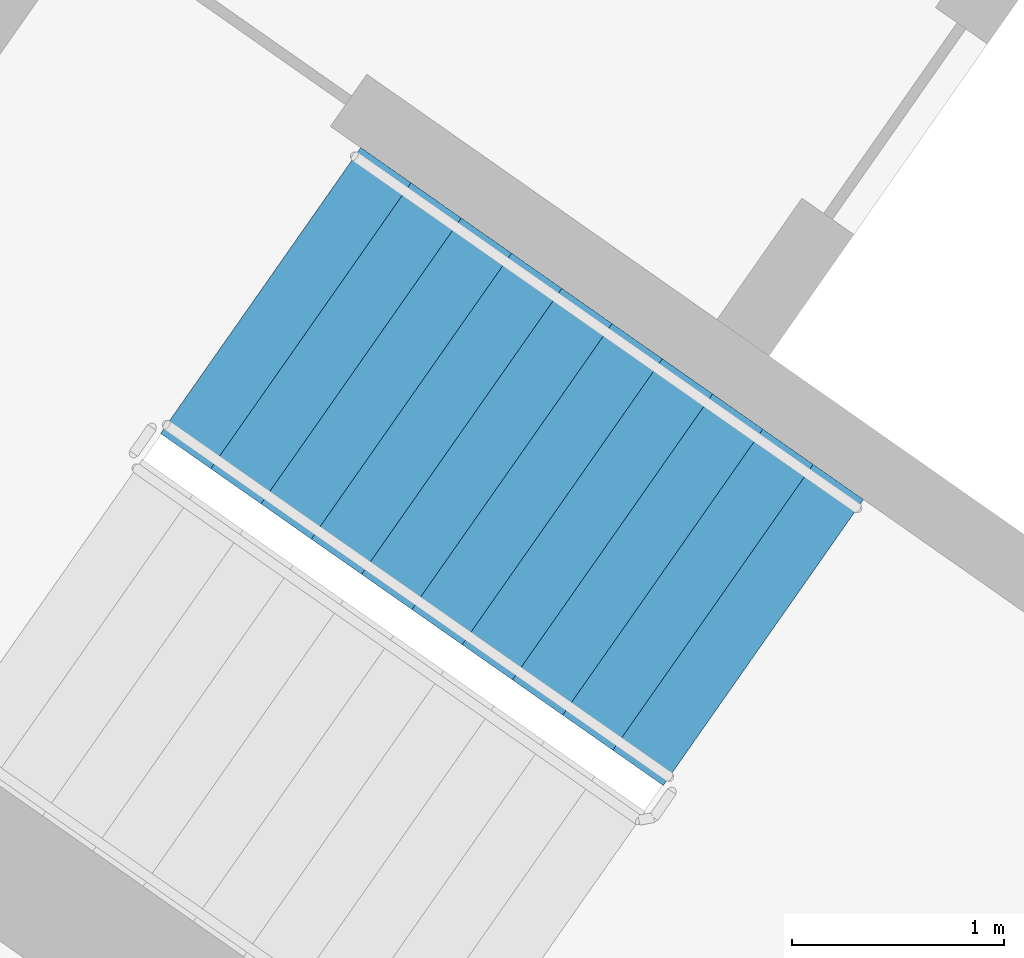
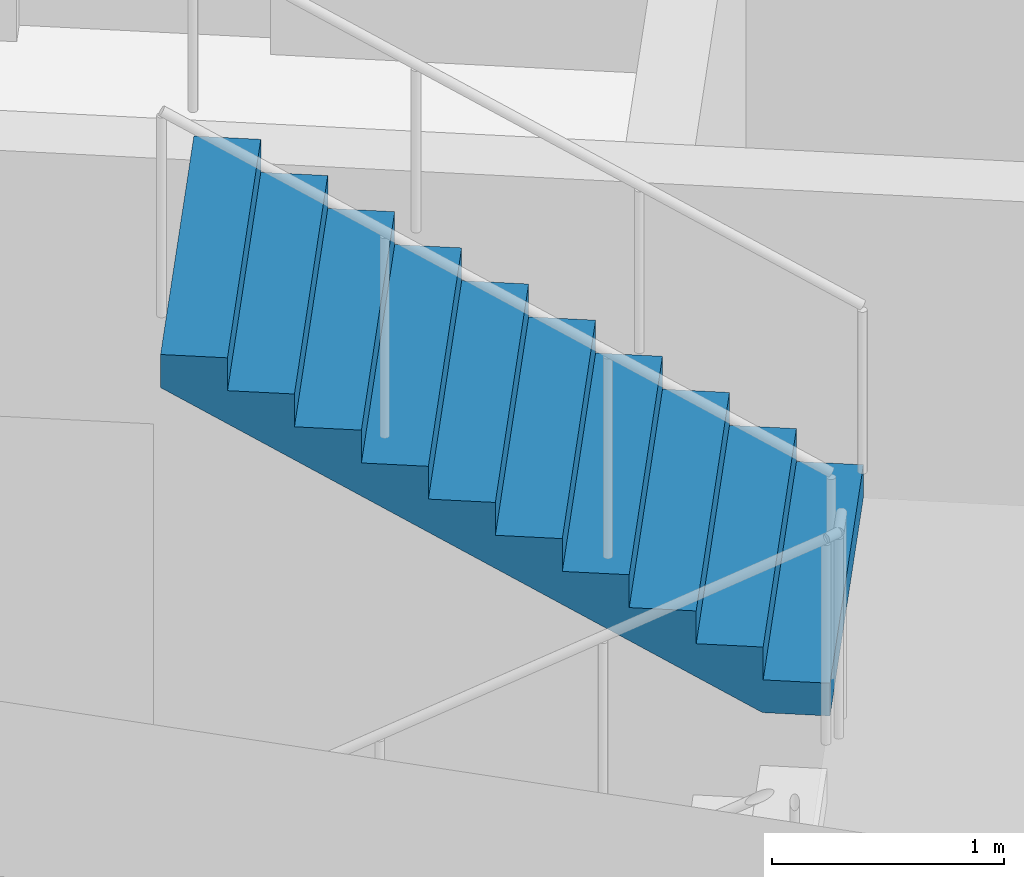
# One storey, part 11 of 28: 1 stair flight, 1 element without a shape of its own.
"""IFC4 building model written with IfcOpenShell, lengths in metres."""

from ifc_helpers import new_model, si_unit, direction, frame, origin, place, context, subcontext, project, spatial, faceted_brep, material, type_object, element, aggregate, save


model = new_model("IFC4")

# Units and contexts
model_context = context("Model", 3, precision=1e-05, world=origin(), true_north=direction((0.0, 1.0)))
body_context = subcontext(model_context, "Body", "Model", "MODEL_VIEW")
ifc_project = project(units=[si_unit("LENGTHUNIT", "METRE"), si_unit("AREAUNIT", "SQUARE_METRE"), si_unit("VOLUMEUNIT", "CUBIC_METRE"), si_unit("PLANEANGLEUNIT", "RADIAN"), si_unit("MASSUNIT", "GRAM", prefix="KILO")], contexts=[model_context])

# Site, building, storey
site_placement = place(None, origin())
site = spatial("IfcSite", under=ifc_project, at=site_placement, CompositionType="ELEMENT")
building_placement = place(site_placement, origin())
building = spatial("IfcBuilding", under=site, at=building_placement, Name="Qamariyya Broadcast Tower", CompositionType="ELEMENT")
storey_placement = place(building_placement, frame((0.0, 0.0, 230.300048828125)))
storey = spatial("IfcBuildingStorey", under=building, at=storey_placement, Name="L55", CompositionType="ELEMENT", Elevation=230.300048828125)

# Stair, stair flight
ifc_material = material(Name="Concrete C50/60", Category="concrete")
stair_type = type_object("IfcStairType", Name="Exit stair 22 risers of 173 mm", PredefinedType="HALF_TURN_STAIR", material=ifc_material)
stair_placement = place(storey_placement, origin())
stair = element("IfcStair", 1, at=stair_placement, inside=storey, type_object=stair_type, Name="L55 Stair W1", PredefinedType="HALF_TURN_STAIR")
stair_flight_type = type_object("IfcStairFlightType", Name="Exit stair flight 11 risers of 173 mm", PredefinedType="STRAIGHT", material=ifc_material)
stair_flight_placement = place(storey_placement, frame((-43.660888671875, -57.17138671875, 1.89990234375), z_axis=(0.0, 0.0, 1.0), x_axis=(-0.819152044289, 0.573576436351, 0.0)))
stair_flight = element("IfcStairFlight", 2, at=stair_flight_placement, type_object=stair_flight_type, Name="ST-W1 flight 2", NumberOfRisers=11, NumberOfTreads=10, PredefinedType="STRAIGHT", RiserHeight=0.172727273, TreadLength=0.29, context=body_context, shape_type="Brep", body=[
    faceted_brep([(0.0, 0.824951171875, 0.0), (0.0, 0.824951171875, 0.172607421875), (0.2900390625, 0.824951171875, 0.172607421875), (0.2900390625, 0.824951171875, 0.345458984375), (0.580078125, 0.824951171875, 0.345458984375), (0.580078125, 0.824951171875, 0.51806640625), (0.8701171875, 0.824951171875, 0.51806640625), (0.8701171875, 0.824951171875, 0.69091796875), (1.159912109375, 0.824951171875, 0.69091796875), (1.159912109375, 0.824951171875, 0.863525390625), (1.449951171875, 0.824951171875, 0.863525390625), (1.449951171875, 0.824951171875, 1.036376953125), (1.739990234375, 0.824951171875, 1.036376953125), (1.739990234375, 0.824951171875, 1.208984375), (2.030029296875, 0.824951171875, 1.208984375), (2.030029296875, 0.824951171875, 1.3818359375), (2.320068359375, 0.824951171875, 1.3818359375), (2.320068359375, 0.824951171875, 1.554443359375), (2.610107421875, 0.824951171875, 1.554443359375), (2.610107421875, 0.824951171875, 1.727294921875), (2.89990234375, 0.824951171875, 1.727294921875), (2.89990234375, 0.824951171875, 1.552734375), (0.29296875, 0.824951171875, 0.0), (0.29296875, -0.824951171875, 0.0), (2.89990234375, -0.824951171875, 1.552734375), (2.89990234375, -0.824951171875, 1.727294921875), (2.610107421875, -0.824951171875, 1.727294921875), (2.610107421875, -0.824951171875, 1.554443359375), (2.320068359375, -0.824951171875, 1.554443359375), (2.320068359375, -0.824951171875, 1.3818359375), (2.030029296875, -0.824951171875, 1.3818359375), (2.030029296875, -0.824951171875, 1.208984375), (1.739990234375, -0.824951171875, 1.208984375), (1.739990234375, -0.824951171875, 1.036376953125), (1.449951171875, -0.824951171875, 1.036376953125), (1.449951171875, -0.824951171875, 0.863525390625), (1.159912109375, -0.824951171875, 0.863525390625), (1.159912109375, -0.824951171875, 0.69091796875), (0.8701171875, -0.824951171875, 0.69091796875), (0.8701171875, -0.824951171875, 0.51806640625), (0.580078125, -0.824951171875, 0.51806640625), (0.580078125, -0.824951171875, 0.345458984375), (0.2900390625, -0.824951171875, 0.345458984375), (0.2900390625, -0.824951171875, 0.172607421875), (0.0, -0.824951171875, 0.172607421875), (0.0, -0.824951171875, 0.0), (0.0, 0.10009765625, 0.0), (0.0, 0.086669921875, 0.0), (0.0, 0.0732421875, 0.0), (0.0, 0.06005859375, 0.0), (0.0, 0.046630859375, 0.0), (0.0, 0.033447265625, 0.0), (0.0, 0.02001953125, 0.0), (0.0, 0.006591796875, 0.0), (0.0, -0.006591796875, 0.0), (0.0, -0.02001953125, 0.0), (0.0, -0.033447265625, 0.0), (0.0, -0.046630859375, 0.0), (0.0, -0.06005859375, 0.0), (0.0, -0.0732421875, 0.0), (0.0, -0.086669921875, 0.0), (0.0, -0.10009765625, 0.0), (0.0, -0.10009765625, 0.172607421875), (0.0, -0.086669921875, 0.172607421875), (0.0, -0.0732421875, 0.172607421875), (0.0, -0.06005859375, 0.172607421875), (0.0, -0.046630859375, 0.172607421875), (0.0, -0.033447265625, 0.172607421875), (0.0, -0.02001953125, 0.172607421875), (0.0, -0.006591796875, 0.172607421875), (0.0, 0.006591796875, 0.172607421875), (0.0, 0.02001953125, 0.172607421875), (0.0, 0.033447265625, 0.172607421875), (0.0, 0.046630859375, 0.172607421875), (0.0, 0.06005859375, 0.172607421875), (0.0, 0.0732421875, 0.172607421875), (0.0, 0.086669921875, 0.172607421875), (0.0, 0.10009765625, 0.172607421875), (0.2900390625, -0.10009765625, 0.172607421875), (0.2900390625, -0.086669921875, 0.172607421875), (0.2900390625, -0.0732421875, 0.172607421875), (0.2900390625, -0.06005859375, 0.172607421875), (0.2900390625, -0.046630859375, 0.172607421875), (0.2900390625, -0.033447265625, 0.172607421875), (0.2900390625, -0.02001953125, 0.172607421875), (0.2900390625, -0.006591796875, 0.172607421875), (0.2900390625, 0.006591796875, 0.172607421875), (0.2900390625, 0.02001953125, 0.172607421875), (0.2900390625, 0.033447265625, 0.172607421875), (0.2900390625, 0.046630859375, 0.172607421875), (0.2900390625, 0.06005859375, 0.172607421875), (0.2900390625, 0.0732421875, 0.172607421875), (0.2900390625, 0.086669921875, 0.172607421875), (0.2900390625, 0.10009765625, 0.172607421875), (0.2900390625, -0.10009765625, 0.345458984375), (0.2900390625, -0.086669921875, 0.345458984375), (0.2900390625, -0.0732421875, 0.345458984375), (0.2900390625, -0.06005859375, 0.345458984375), (0.2900390625, -0.046630859375, 0.345458984375), (0.2900390625, -0.033447265625, 0.345458984375), (0.2900390625, -0.02001953125, 0.345458984375), (0.2900390625, -0.006591796875, 0.345458984375), (0.2900390625, 0.006591796875, 0.345458984375), (0.2900390625, 0.02001953125, 0.345458984375), (0.2900390625, 0.033447265625, 0.345458984375), (0.2900390625, 0.046630859375, 0.345458984375), (0.2900390625, 0.06005859375, 0.345458984375), (0.2900390625, 0.0732421875, 0.345458984375), (0.2900390625, 0.086669921875, 0.345458984375), (0.2900390625, 0.10009765625, 0.345458984375), (0.580078125, -0.10009765625, 0.345458984375), (0.580078125, -0.086669921875, 0.345458984375), (0.580078125, -0.0732421875, 0.345458984375), (0.580078125, -0.06005859375, 0.345458984375), (0.580078125, -0.046630859375, 0.345458984375), (0.580078125, -0.033447265625, 0.345458984375), (0.580078125, -0.02001953125, 0.345458984375), (0.580078125, -0.006591796875, 0.345458984375), (0.580078125, 0.006591796875, 0.345458984375), (0.580078125, 0.02001953125, 0.345458984375), (0.580078125, 0.033447265625, 0.345458984375), (0.580078125, 0.046630859375, 0.345458984375), (0.580078125, 0.06005859375, 0.345458984375), (0.580078125, 0.0732421875, 0.345458984375), (0.580078125, 0.086669921875, 0.345458984375), (0.580078125, 0.10009765625, 0.345458984375), (0.580078125, -0.10009765625, 0.51806640625), (0.580078125, -0.086669921875, 0.51806640625), (0.580078125, -0.0732421875, 0.51806640625), (0.580078125, -0.06005859375, 0.51806640625), (0.580078125, -0.046630859375, 0.51806640625), (0.580078125, -0.033447265625, 0.51806640625), (0.580078125, -0.02001953125, 0.51806640625), (0.580078125, -0.006591796875, 0.51806640625), (0.580078125, 0.006591796875, 0.51806640625), (0.580078125, 0.02001953125, 0.51806640625), (0.580078125, 0.033447265625, 0.51806640625), (0.580078125, 0.046630859375, 0.51806640625), (0.580078125, 0.06005859375, 0.51806640625), (0.580078125, 0.0732421875, 0.51806640625), (0.580078125, 0.086669921875, 0.51806640625), (0.580078125, 0.10009765625, 0.51806640625), (0.8701171875, -0.10009765625, 0.51806640625), (0.8701171875, -0.086669921875, 0.51806640625), (0.8701171875, -0.0732421875, 0.51806640625), (0.8701171875, -0.06005859375, 0.51806640625), (0.8701171875, -0.046630859375, 0.51806640625), (0.8701171875, -0.033447265625, 0.51806640625), (0.8701171875, -0.02001953125, 0.51806640625), (0.8701171875, -0.006591796875, 0.51806640625), (0.8701171875, 0.006591796875, 0.51806640625), (0.8701171875, 0.02001953125, 0.51806640625), (0.8701171875, 0.033447265625, 0.51806640625), (0.8701171875, 0.046630859375, 0.51806640625), (0.8701171875, 0.06005859375, 0.51806640625), (0.8701171875, 0.0732421875, 0.51806640625), (0.8701171875, 0.086669921875, 0.51806640625), (0.8701171875, 0.10009765625, 0.51806640625), (0.8701171875, -0.10009765625, 0.69091796875), (0.8701171875, -0.086669921875, 0.69091796875), (0.8701171875, -0.0732421875, 0.69091796875), (0.8701171875, -0.06005859375, 0.69091796875), (0.8701171875, -0.046630859375, 0.69091796875), (0.8701171875, -0.033447265625, 0.69091796875), (0.8701171875, -0.02001953125, 0.69091796875), (0.8701171875, -0.006591796875, 0.69091796875), (0.8701171875, 0.006591796875, 0.69091796875), (0.8701171875, 0.02001953125, 0.69091796875), (0.8701171875, 0.033447265625, 0.69091796875), (0.8701171875, 0.046630859375, 0.69091796875), (0.8701171875, 0.06005859375, 0.69091796875), (0.8701171875, 0.0732421875, 0.69091796875), (0.8701171875, 0.086669921875, 0.69091796875), (0.8701171875, 0.10009765625, 0.69091796875), (1.159912109375, -0.10009765625, 0.69091796875), (1.159912109375, -0.086669921875, 0.69091796875), (1.159912109375, -0.0732421875, 0.69091796875), (1.159912109375, -0.06005859375, 0.69091796875), (1.159912109375, -0.046630859375, 0.69091796875), (1.159912109375, -0.033447265625, 0.69091796875), (1.159912109375, -0.02001953125, 0.69091796875), (1.159912109375, -0.006591796875, 0.69091796875), (1.159912109375, 0.006591796875, 0.69091796875), (1.159912109375, 0.02001953125, 0.69091796875), (1.159912109375, 0.033447265625, 0.69091796875), (1.159912109375, 0.046630859375, 0.69091796875), (1.159912109375, 0.06005859375, 0.69091796875), (1.159912109375, 0.0732421875, 0.69091796875), (1.159912109375, 0.086669921875, 0.69091796875), (1.159912109375, 0.10009765625, 0.69091796875), (1.159912109375, -0.10009765625, 0.863525390625), (1.159912109375, -0.086669921875, 0.863525390625), (1.159912109375, -0.0732421875, 0.863525390625), (1.159912109375, -0.06005859375, 0.863525390625), (1.159912109375, -0.046630859375, 0.863525390625), (1.159912109375, -0.033447265625, 0.863525390625), (1.159912109375, -0.02001953125, 0.863525390625), (1.159912109375, -0.006591796875, 0.863525390625), (1.159912109375, 0.006591796875, 0.863525390625), (1.159912109375, 0.02001953125, 0.863525390625), (1.159912109375, 0.033447265625, 0.863525390625), (1.159912109375, 0.046630859375, 0.863525390625), (1.159912109375, 0.06005859375, 0.863525390625), (1.159912109375, 0.0732421875, 0.863525390625), (1.159912109375, 0.086669921875, 0.863525390625), (1.159912109375, 0.10009765625, 0.863525390625), (1.449951171875, -0.10009765625, 0.863525390625), (1.449951171875, -0.086669921875, 0.863525390625), (1.449951171875, -0.0732421875, 0.863525390625), (1.449951171875, -0.06005859375, 0.863525390625), (1.449951171875, -0.046630859375, 0.863525390625), (1.449951171875, -0.033447265625, 0.863525390625), (1.449951171875, -0.02001953125, 0.863525390625), (1.449951171875, -0.006591796875, 0.863525390625), (1.449951171875, 0.006591796875, 0.863525390625), (1.449951171875, 0.02001953125, 0.863525390625), (1.449951171875, 0.033447265625, 0.863525390625), (1.449951171875, 0.046630859375, 0.863525390625), (1.449951171875, 0.06005859375, 0.863525390625), (1.449951171875, 0.0732421875, 0.863525390625), (1.449951171875, 0.086669921875, 0.863525390625), (1.449951171875, 0.10009765625, 0.863525390625), (1.449951171875, -0.10009765625, 1.036376953125), (1.449951171875, -0.086669921875, 1.036376953125), (1.449951171875, -0.0732421875, 1.036376953125), (1.449951171875, -0.06005859375, 1.036376953125), (1.449951171875, -0.046630859375, 1.036376953125), (1.449951171875, -0.033447265625, 1.036376953125), (1.449951171875, -0.02001953125, 1.036376953125), (1.449951171875, -0.006591796875, 1.036376953125), (1.449951171875, 0.006591796875, 1.036376953125), (1.449951171875, 0.02001953125, 1.036376953125), (1.449951171875, 0.033447265625, 1.036376953125), (1.449951171875, 0.046630859375, 1.036376953125), (1.449951171875, 0.06005859375, 1.036376953125), (1.449951171875, 0.0732421875, 1.036376953125), (1.449951171875, 0.086669921875, 1.036376953125), (1.449951171875, 0.10009765625, 1.036376953125), (1.739990234375, -0.10009765625, 1.036376953125), (1.739990234375, -0.086669921875, 1.036376953125), (1.739990234375, -0.0732421875, 1.036376953125), (1.739990234375, -0.06005859375, 1.036376953125), (1.739990234375, -0.046630859375, 1.036376953125), (1.739990234375, -0.033447265625, 1.036376953125), (1.739990234375, -0.02001953125, 1.036376953125), (1.739990234375, -0.006591796875, 1.036376953125), (1.739990234375, 0.006591796875, 1.036376953125), (1.739990234375, 0.02001953125, 1.036376953125), (1.739990234375, 0.033447265625, 1.036376953125), (1.739990234375, 0.046630859375, 1.036376953125), (1.739990234375, 0.06005859375, 1.036376953125), (1.739990234375, 0.0732421875, 1.036376953125), (1.739990234375, 0.086669921875, 1.036376953125), (1.739990234375, 0.10009765625, 1.036376953125), (1.739990234375, -0.10009765625, 1.208984375), (1.739990234375, -0.086669921875, 1.208984375), (1.739990234375, -0.0732421875, 1.208984375), (1.739990234375, -0.06005859375, 1.208984375), (1.739990234375, -0.046630859375, 1.208984375), (1.739990234375, -0.033447265625, 1.208984375), (1.739990234375, -0.02001953125, 1.208984375), (1.739990234375, -0.006591796875, 1.208984375), (1.739990234375, 0.006591796875, 1.208984375), (1.739990234375, 0.02001953125, 1.208984375), (1.739990234375, 0.033447265625, 1.208984375), (1.739990234375, 0.046630859375, 1.208984375), (1.739990234375, 0.06005859375, 1.208984375), (1.739990234375, 0.0732421875, 1.208984375), (1.739990234375, 0.086669921875, 1.208984375), (1.739990234375, 0.10009765625, 1.208984375), (2.030029296875, -0.10009765625, 1.208984375), (2.030029296875, -0.086669921875, 1.208984375), (2.030029296875, -0.0732421875, 1.208984375), (2.030029296875, -0.06005859375, 1.208984375), (2.030029296875, -0.046630859375, 1.208984375), (2.030029296875, -0.033447265625, 1.208984375), (2.030029296875, -0.02001953125, 1.208984375), (2.030029296875, -0.006591796875, 1.208984375), (2.030029296875, 0.006591796875, 1.208984375), (2.030029296875, 0.02001953125, 1.208984375), (2.030029296875, 0.033447265625, 1.208984375), (2.030029296875, 0.046630859375, 1.208984375), (2.030029296875, 0.06005859375, 1.208984375), (2.030029296875, 0.0732421875, 1.208984375), (2.030029296875, 0.086669921875, 1.208984375), (2.030029296875, 0.10009765625, 1.208984375), (2.030029296875, -0.10009765625, 1.3818359375), (2.030029296875, -0.086669921875, 1.3818359375), (2.030029296875, -0.0732421875, 1.3818359375), (2.030029296875, -0.06005859375, 1.3818359375), (2.030029296875, -0.046630859375, 1.3818359375), (2.030029296875, -0.033447265625, 1.3818359375), (2.030029296875, -0.02001953125, 1.3818359375), (2.030029296875, -0.006591796875, 1.3818359375), (2.030029296875, 0.006591796875, 1.3818359375), (2.030029296875, 0.02001953125, 1.3818359375), (2.030029296875, 0.033447265625, 1.3818359375), (2.030029296875, 0.046630859375, 1.3818359375), (2.030029296875, 0.06005859375, 1.3818359375), (2.030029296875, 0.0732421875, 1.3818359375), (2.030029296875, 0.086669921875, 1.3818359375), (2.030029296875, 0.10009765625, 1.3818359375), (2.320068359375, -0.10009765625, 1.3818359375), (2.320068359375, -0.086669921875, 1.3818359375), (2.320068359375, -0.0732421875, 1.3818359375), (2.320068359375, -0.06005859375, 1.3818359375), (2.320068359375, -0.046630859375, 1.3818359375), (2.320068359375, -0.033447265625, 1.3818359375), (2.320068359375, -0.02001953125, 1.3818359375), (2.320068359375, -0.006591796875, 1.3818359375), (2.320068359375, 0.006591796875, 1.3818359375), (2.320068359375, 0.02001953125, 1.3818359375), (2.320068359375, 0.033447265625, 1.3818359375), (2.320068359375, 0.046630859375, 1.3818359375), (2.320068359375, 0.06005859375, 1.3818359375), (2.320068359375, 0.0732421875, 1.3818359375), (2.320068359375, 0.086669921875, 1.3818359375), (2.320068359375, 0.10009765625, 1.3818359375), (2.320068359375, -0.10009765625, 1.554443359375), (2.320068359375, -0.086669921875, 1.554443359375), (2.320068359375, -0.0732421875, 1.554443359375), (2.320068359375, -0.06005859375, 1.554443359375), (2.320068359375, -0.046630859375, 1.554443359375), (2.320068359375, -0.033447265625, 1.554443359375), (2.320068359375, -0.02001953125, 1.554443359375), (2.320068359375, -0.006591796875, 1.554443359375), (2.320068359375, 0.006591796875, 1.554443359375), (2.320068359375, 0.02001953125, 1.554443359375), (2.320068359375, 0.033447265625, 1.554443359375), (2.320068359375, 0.046630859375, 1.554443359375), (2.320068359375, 0.06005859375, 1.554443359375), (2.320068359375, 0.0732421875, 1.554443359375), (2.320068359375, 0.086669921875, 1.554443359375), (2.320068359375, 0.10009765625, 1.554443359375), (2.610107421875, -0.10009765625, 1.554443359375), (2.610107421875, -0.086669921875, 1.554443359375), (2.610107421875, -0.0732421875, 1.554443359375), (2.610107421875, -0.06005859375, 1.554443359375), (2.610107421875, -0.046630859375, 1.554443359375), (2.610107421875, -0.033447265625, 1.554443359375), (2.610107421875, -0.02001953125, 1.554443359375), (2.610107421875, -0.006591796875, 1.554443359375), (2.610107421875, 0.006591796875, 1.554443359375), (2.610107421875, 0.02001953125, 1.554443359375), (2.610107421875, 0.033447265625, 1.554443359375), (2.610107421875, 0.046630859375, 1.554443359375), (2.610107421875, 0.06005859375, 1.554443359375), (2.610107421875, 0.0732421875, 1.554443359375), (2.610107421875, 0.086669921875, 1.554443359375), (2.610107421875, 0.10009765625, 1.554443359375), (2.610107421875, -0.10009765625, 1.727294921875), (2.610107421875, -0.086669921875, 1.727294921875), (2.610107421875, -0.0732421875, 1.727294921875), (2.610107421875, -0.06005859375, 1.727294921875), (2.610107421875, -0.046630859375, 1.727294921875), (2.610107421875, -0.033447265625, 1.727294921875), (2.610107421875, -0.02001953125, 1.727294921875), (2.610107421875, -0.006591796875, 1.727294921875), (2.610107421875, 0.006591796875, 1.727294921875), (2.610107421875, 0.02001953125, 1.727294921875), (2.610107421875, 0.033447265625, 1.727294921875), (2.610107421875, 0.046630859375, 1.727294921875), (2.610107421875, 0.06005859375, 1.727294921875), (2.610107421875, 0.0732421875, 1.727294921875), (2.610107421875, 0.086669921875, 1.727294921875), (2.610107421875, 0.10009765625, 1.727294921875), (2.89990234375, -0.10009765625, 1.727294921875), (2.89990234375, -0.086669921875, 1.727294921875), (2.89990234375, -0.0732421875, 1.727294921875), (2.89990234375, -0.06005859375, 1.727294921875), (2.89990234375, -0.046630859375, 1.727294921875), (2.89990234375, -0.033447265625, 1.727294921875), (2.89990234375, -0.02001953125, 1.727294921875), (2.89990234375, -0.006591796875, 1.727294921875), (2.89990234375, 0.006591796875, 1.727294921875), (2.89990234375, 0.02001953125, 1.727294921875), (2.89990234375, 0.033447265625, 1.727294921875), (2.89990234375, 0.046630859375, 1.727294921875), (2.89990234375, 0.06005859375, 1.727294921875), (2.89990234375, 0.0732421875, 1.727294921875), (2.89990234375, 0.086669921875, 1.727294921875), (2.89990234375, 0.10009765625, 1.727294921875), (2.89990234375, -0.10009765625, 1.552734375), (2.89990234375, -0.086669921875, 1.552734375), (2.89990234375, -0.0732421875, 1.552734375), (2.89990234375, -0.06005859375, 1.552734375), (2.89990234375, -0.046630859375, 1.552734375), (2.89990234375, -0.033447265625, 1.552734375), (2.89990234375, -0.02001953125, 1.552734375), (2.89990234375, -0.006591796875, 1.552734375), (2.89990234375, 0.006591796875, 1.552734375), (2.89990234375, 0.02001953125, 1.552734375), (2.89990234375, 0.033447265625, 1.552734375), (2.89990234375, 0.046630859375, 1.552734375), (2.89990234375, 0.06005859375, 1.552734375), (2.89990234375, 0.0732421875, 1.552734375), (2.89990234375, 0.086669921875, 1.552734375), (2.89990234375, 0.10009765625, 1.552734375), (0.29296875, -0.10009765625, 0.0), (0.29296875, -0.086669921875, 0.0), (0.29296875, -0.0732421875, 0.0), (0.29296875, -0.06005859375, 0.0), (0.29296875, -0.046630859375, 0.0), (0.29296875, -0.033447265625, 0.0), (0.29296875, -0.02001953125, 0.0), (0.29296875, -0.006591796875, 0.0), (0.29296875, 0.006591796875, 0.0), (0.29296875, 0.02001953125, 0.0), (0.29296875, 0.033447265625, 0.0), (0.29296875, 0.046630859375, 0.0), (0.29296875, 0.06005859375, 0.0), (0.29296875, 0.0732421875, 0.0), (0.29296875, 0.086669921875, 0.0), (0.29296875, 0.10009765625, 0.0)], [[[0, 1, 2, 3, 4, 5, 6, 7, 8, 9, 10, 11, 12, 13, 14, 15, 16, 17, 18, 19, 20, 21, 22]], [[23, 24, 25, 26, 27, 28, 29, 30, 31, 32, 33, 34, 35, 36, 37, 38, 39, 40, 41, 42, 43, 44, 45]], [[0, 46, 47, 48, 49, 50, 51, 52, 53, 54, 55, 56, 57, 58, 59, 60, 61, 45, 44, 62, 63, 64, 65, 66, 67, 68, 69, 70, 71, 72, 73, 74, 75, 76, 77, 1]], [[1, 77, 76, 75, 74, 73, 72, 71, 70, 69, 68, 67, 66, 65, 64, 63, 62, 44, 43, 78, 79, 80, 81, 82, 83, 84, 85, 86, 87, 88, 89, 90, 91, 92, 93, 2]], [[2, 93, 92, 91, 90, 89, 88, 87, 86, 85, 84, 83, 82, 81, 80, 79, 78, 43, 42, 94, 95, 96, 97, 98, 99, 100, 101, 102, 103, 104, 105, 106, 107, 108, 109, 3]], [[3, 109, 108, 107, 106, 105, 104, 103, 102, 101, 100, 99, 98, 97, 96, 95, 94, 42, 41, 110, 111, 112, 113, 114, 115, 116, 117, 118, 119, 120, 121, 122, 123, 124, 125, 4]], [[4, 125, 124, 123, 122, 121, 120, 119, 118, 117, 116, 115, 114, 113, 112, 111, 110, 41, 40, 126, 127, 128, 129, 130, 131, 132, 133, 134, 135, 136, 137, 138, 139, 140, 141, 5]], [[5, 141, 140, 139, 138, 137, 136, 135, 134, 133, 132, 131, 130, 129, 128, 127, 126, 40, 39, 142, 143, 144, 145, 146, 147, 148, 149, 150, 151, 152, 153, 154, 155, 156, 157, 6]], [[6, 157, 156, 155, 154, 153, 152, 151, 150, 149, 148, 147, 146, 145, 144, 143, 142, 39, 38, 158, 159, 160, 161, 162, 163, 164, 165, 166, 167, 168, 169, 170, 171, 172, 173, 7]], [[7, 173, 172, 171, 170, 169, 168, 167, 166, 165, 164, 163, 162, 161, 160, 159, 158, 38, 37, 174, 175, 176, 177, 178, 179, 180, 181, 182, 183, 184, 185, 186, 187, 188, 189, 8]], [[8, 189, 188, 187, 186, 185, 184, 183, 182, 181, 180, 179, 178, 177, 176, 175, 174, 37, 36, 190, 191, 192, 193, 194, 195, 196, 197, 198, 199, 200, 201, 202, 203, 204, 205, 9]], [[9, 205, 204, 203, 202, 201, 200, 199, 198, 197, 196, 195, 194, 193, 192, 191, 190, 36, 35, 206, 207, 208, 209, 210, 211, 212, 213, 214, 215, 216, 217, 218, 219, 220, 221, 10]], [[10, 221, 220, 219, 218, 217, 216, 215, 214, 213, 212, 211, 210, 209, 208, 207, 206, 35, 34, 222, 223, 224, 225, 226, 227, 228, 229, 230, 231, 232, 233, 234, 235, 236, 237, 11]], [[11, 237, 236, 235, 234, 233, 232, 231, 230, 229, 228, 227, 226, 225, 224, 223, 222, 34, 33, 238, 239, 240, 241, 242, 243, 244, 245, 246, 247, 248, 249, 250, 251, 252, 253, 12]], [[12, 253, 252, 251, 250, 249, 248, 247, 246, 245, 244, 243, 242, 241, 240, 239, 238, 33, 32, 254, 255, 256, 257, 258, 259, 260, 261, 262, 263, 264, 265, 266, 267, 268, 269, 13]], [[13, 269, 268, 267, 266, 265, 264, 263, 262, 261, 260, 259, 258, 257, 256, 255, 254, 32, 31, 270, 271, 272, 273, 274, 275, 276, 277, 278, 279, 280, 281, 282, 283, 284, 285, 14]], [[14, 285, 284, 283, 282, 281, 280, 279, 278, 277, 276, 275, 274, 273, 272, 271, 270, 31, 30, 286, 287, 288, 289, 290, 291, 292, 293, 294, 295, 296, 297, 298, 299, 300, 301, 15]], [[15, 301, 300, 299, 298, 297, 296, 295, 294, 293, 292, 291, 290, 289, 288, 287, 286, 30, 29, 302, 303, 304, 305, 306, 307, 308, 309, 310, 311, 312, 313, 314, 315, 316, 317, 16]], [[16, 317, 316, 315, 314, 313, 312, 311, 310, 309, 308, 307, 306, 305, 304, 303, 302, 29, 28, 318, 319, 320, 321, 322, 323, 324, 325, 326, 327, 328, 329, 330, 331, 332, 333, 17]], [[17, 333, 332, 331, 330, 329, 328, 327, 326, 325, 324, 323, 322, 321, 320, 319, 318, 28, 27, 334, 335, 336, 337, 338, 339, 340, 341, 342, 343, 344, 345, 346, 347, 348, 349, 18]], [[18, 349, 348, 347, 346, 345, 344, 343, 342, 341, 340, 339, 338, 337, 336, 335, 334, 27, 26, 350, 351, 352, 353, 354, 355, 356, 357, 358, 359, 360, 361, 362, 363, 364, 365, 19]], [[19, 365, 364, 363, 362, 361, 360, 359, 358, 357, 356, 355, 354, 353, 352, 351, 350, 26, 25, 366, 367, 368, 369, 370, 371, 372, 373, 374, 375, 376, 377, 378, 379, 380, 381, 20]], [[20, 381, 380, 379, 378, 377, 376, 375, 374, 373, 372, 371, 370, 369, 368, 367, 366, 25, 24, 382, 383, 384, 385, 386, 387, 388, 389, 390, 391, 392, 393, 394, 395, 396, 397, 21]], [[21, 397, 396, 395, 394, 393, 392, 391, 390, 389, 388, 387, 386, 385, 384, 383, 382, 24, 23, 398, 399, 400, 401, 402, 403, 404, 405, 406, 407, 408, 409, 410, 411, 412, 413, 22]], [[22, 413, 412, 411, 410, 409, 408, 407, 406, 405, 404, 403, 402, 401, 400, 399, 398, 23, 45, 61, 60, 59, 58, 57, 56, 55, 54, 53, 52, 51, 50, 49, 48, 47, 46, 0]]]),
])
aggregate(stair, [stair_flight])

save(model, "model.ifc")
